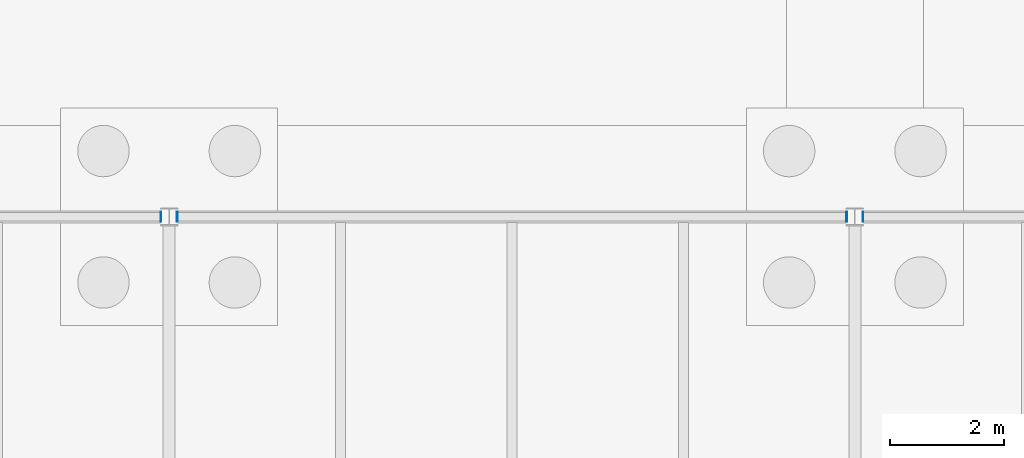
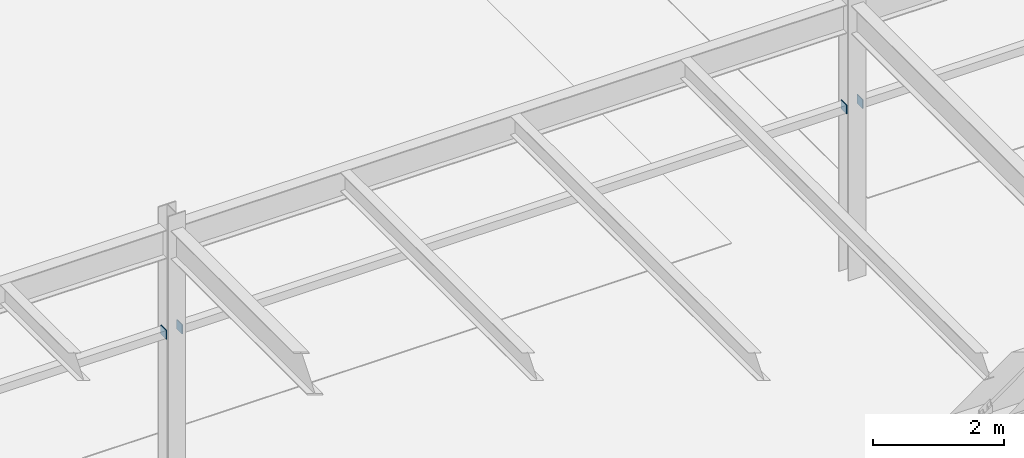
# One storey, part 149 of 188: 4 plates.
"""IFC4 building model written with IfcOpenShell, lengths in metres."""

from ifc_helpers import new_model, si_unit, direction, frame, origin, origin_2d, place, context, subcontext, project, spatial, rectangle, extrude, material, layer, layer_set, type_object, element, save


model = new_model("IFC4")

# Units and contexts
model_context = context("Model", 3, precision=1e-05, world=origin(), true_north=direction((0.0, 1.0)))
body_context = subcontext(model_context, "Body", "Model", "MODEL_VIEW")
ifc_project = project(units=[si_unit("LENGTHUNIT", "METRE"), si_unit("AREAUNIT", "SQUARE_METRE"), si_unit("VOLUMEUNIT", "CUBIC_METRE"), si_unit("PLANEANGLEUNIT", "RADIAN"), si_unit("MASSUNIT", "GRAM", prefix="KILO")], contexts=[model_context])

# Site, building, storey
site_placement = place(None, origin())
site = spatial("IfcSite", under=ifc_project, at=site_placement, CompositionType="ELEMENT")
building_placement = place(site_placement, origin())
building = spatial("IfcBuilding", under=site, at=building_placement, Name="Pandanus Reach Market Hall", CompositionType="ELEMENT")
storey_placement = place(building_placement, origin())
storey = spatial("IfcBuildingStorey", under=building, at=storey_placement, Name="L00", CompositionType="ELEMENT", Elevation=0.0)

# Plates
ifc_material = material(Name="Steel Grade 350 (350 MPa)", Category="steel")
ifc_layer = layer(ifc_material, 0.01611328125, Name="CP-PL16")
ifc_layer_set = layer_set([ifc_layer], Name="Steel Grade 350 (350 MPa)")
plate_type = type_object("IfcPlateType", Name="CP-PL16", PredefinedType="SHEET", material=ifc_layer_set)
for number, where, z_axis, x_axis, name in (
    (1, (71.85791015625, 38.39990234375, 3.06494140625), (0.0, 0.0, 1.0), (1.0, 0.0, 0.0), "Hollow lintel end cap plate CP-PL16 1B"),
    (2, (72.14208984375, 38.39990234375, 3.06494140625), (0.0, 0.0, 1.0), (1.0, 0.0, 0.0), "Hollow lintel end cap plate CP-PL16 2A"),
    (3, (83.85791015625, 38.39990234375, 3.06494140625), (0.0, 0.0, 1.0), (1.0, 0.0, 0.0), "Hollow lintel end cap plate CP-PL16 2B"),
    (4, (84.14208984375, 38.39990234375, 3.06494140625), (0.0, 0.0, 1.0), (1.0, 0.0, 0.0), "Hollow lintel end cap plate CP-PL16 3A"),
):
    element("IfcPlate", number, at=place(storey_placement, frame(where, z_axis=z_axis, x_axis=x_axis)), inside=storey, type_object=plate_type, Name=name, PredefinedType="SHEET", context=body_context, shape_type="SweptSolid", body=[
        extrude(rectangle(XDim=0.01611328125, YDim=0.169921875, at=origin_2d()), origin(), (0.0, 0.0, 1.0), 0.169921875),
    ])

save(model, "model.ifc")
